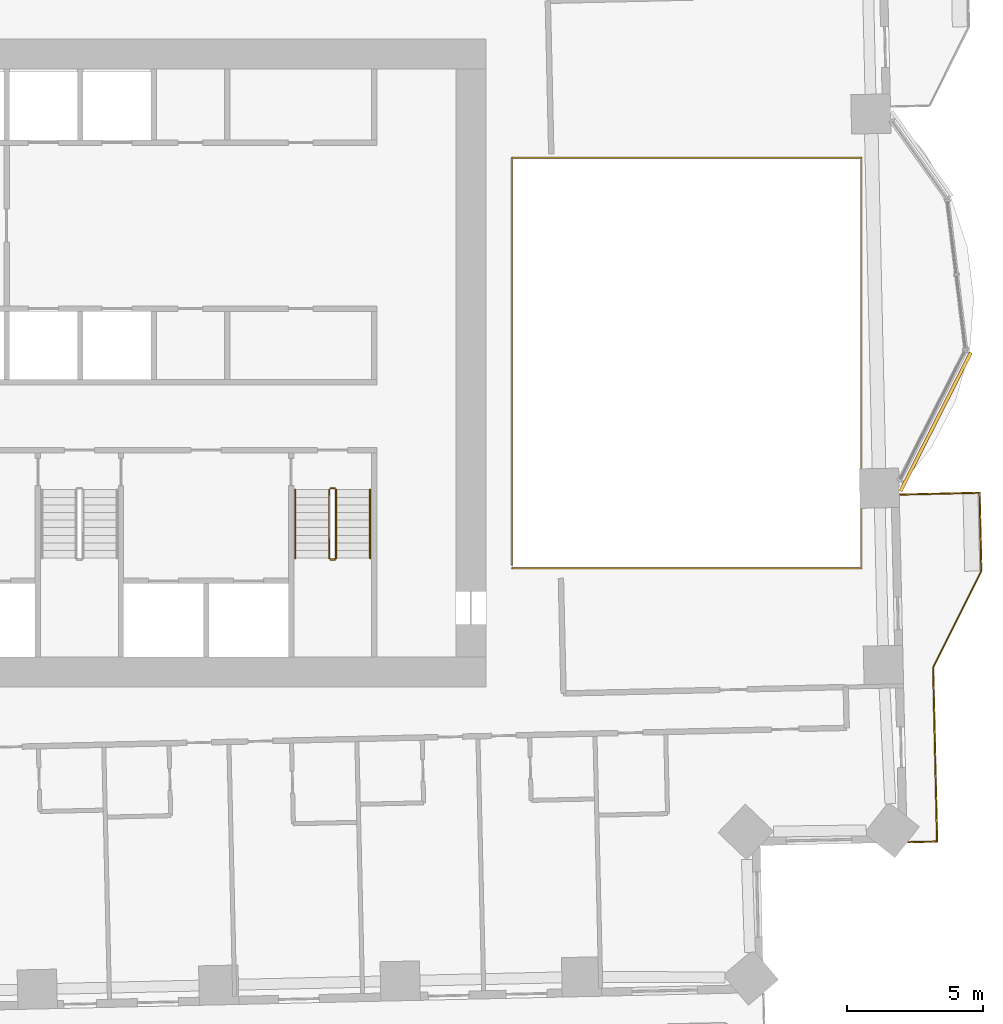
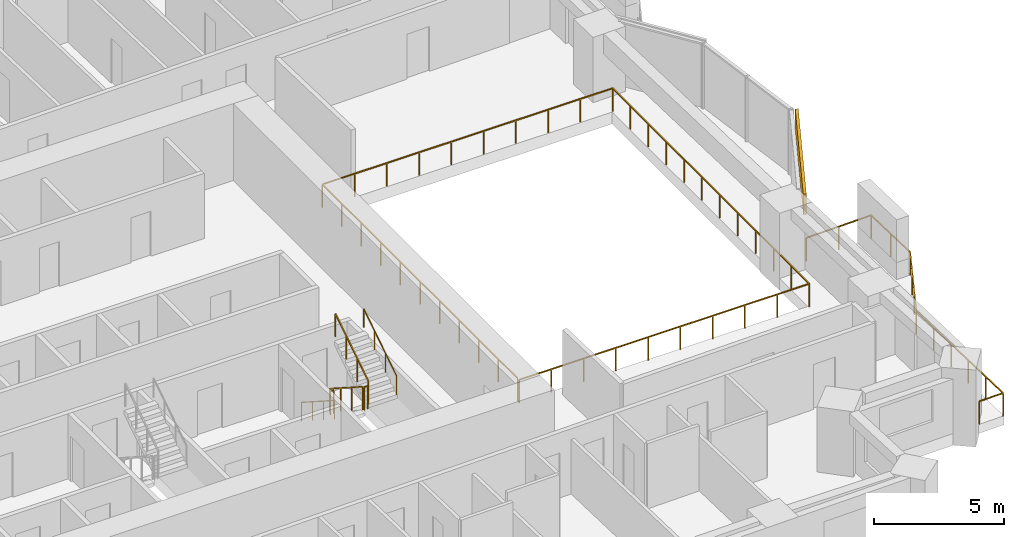
# One storey, part 16 of 17: 8 railings, 1 covering.
"""IFC4 building model written with IfcOpenShell, lengths in metres."""

from ifc_helpers import new_model, si_unit, direction, frame, frame_2d, origin, origin_2d, place, context, subcontext, project, spatial, rectangle, circle, extrude, material, layer, layer_set, type_object, element, save


model = new_model("IFC4")

# Units and contexts
model_context = context("Model", 3, precision=1e-05, world=origin(), true_north=direction((0.0, 1.0)))
body_context = subcontext(model_context, "Body", "Model", "MODEL_VIEW")
ifc_project = project(units=[si_unit("LENGTHUNIT", "METRE"), si_unit("AREAUNIT", "SQUARE_METRE"), si_unit("VOLUMEUNIT", "CUBIC_METRE"), si_unit("PLANEANGLEUNIT", "RADIAN"), si_unit("MASSUNIT", "GRAM", prefix="KILO")], contexts=[model_context])

# Site, building, storey
site_placement = place(None, origin())
site = spatial("IfcSite", under=ifc_project, at=site_placement, CompositionType="ELEMENT")
building_placement = place(site_placement, origin())
building = spatial("IfcBuilding", under=site, at=building_placement, Name="Mangrove Gate Tower", CompositionType="ELEMENT")
storey_placement = place(building_placement, frame((0.0, 0.0, 82.89990234375)))
storey = spatial("IfcBuildingStorey", under=building, at=storey_placement, Name="L20", CompositionType="ELEMENT", Elevation=82.89990234375)

# Railings
ifc_material_1 = material(Name="Stainless steel grade 316 with laminated glass infill", Category="steel")
railing_type_1 = type_object("IfcRailingType", Name="Balcony guard 1100", PredefinedType="GUARDRAIL", material=ifc_material_1)
railing_1_placement = place(storey_placement, frame((30.419921875, -17.60107421875, 0.0)))
element("IfcRailing", 1, at=railing_1_placement, inside=storey, type_object=railing_type_1, Name="GUARD L20 E1", PredefinedType="GUARDRAIL", context=body_context, shape_type="SweptSolid", body=[
    extrude(rectangle(XDim=0.048095703125, YDim=0.048095703125, at=origin_2d()), frame((0.0, 0.0, 1.076171875), z_axis=(0.999740168701, 0.022794628443, 0.0), x_axis=(-0.022794628443, 0.999740168701, 0.0)), (0.0, 0.0, 1.0), 1.060302734375),
    extrude(rectangle(XDim=0.048095703125, YDim=0.048095703125, at=origin_2d()), frame((1.06005859375, 0.024169921875, 1.076171875), z_axis=(-0.022660744415, 0.999743212361, 0.0), x_axis=(-0.999743212361, -0.022660744415, 0.0)), (0.0, 0.0, 1.0), 6.399658203125),
    extrude(rectangle(XDim=0.048095703125, YDim=0.048095703125, at=origin_2d()), frame((0.9150390625, 6.422119140625, 1.076171875), z_axis=(0.447114919141, 0.894476522376, 0.0), x_axis=(-0.894476522376, 0.447114919141, 0.0)), (0.0, 0.0, 1.0), 3.958740234375),
    extrude(rectangle(XDim=0.048095703125, YDim=0.048095703125, at=origin_2d()), frame((2.68505859375, 9.963134765625, 1.076171875), z_axis=(-0.022590224177, 0.999744808324, 0.0), x_axis=(-0.999744808324, -0.022590224177, 0.0)), (0.0, 0.0, 1.0), 2.874755859375),
    extrude(rectangle(XDim=0.048095703125, YDim=0.048095703125, at=origin_2d()), frame((2.6201171875, 12.837158203125, 1.076171875), z_axis=(-0.999741662318, -0.022729026048, 0.0), x_axis=(0.022729026048, -0.999741662318, 0.0)), (0.0, 0.0, 1.0), 2.910888671875),
    extrude(rectangle(XDim=0.0419921875, YDim=0.0419921875, at=origin_2d()), origin(), (0.0, 0.0, 1.0), 1.052001953125),
    extrude(rectangle(XDim=0.0419921875, YDim=0.0419921875, at=origin_2d()), frame((1.06005859375, 0.024169921875, 0.0)), (0.0, 0.0, 1.0), 1.052001953125),
    extrude(rectangle(XDim=0.0419921875, YDim=0.0419921875, at=origin_2d()), frame((1.031005859375, 1.3037109375, 0.0)), (0.0, 0.0, 1.0), 1.052001953125),
    extrude(rectangle(XDim=0.0419921875, YDim=0.0419921875, at=origin_2d()), frame((1.001953125, 2.583251953125, 0.0)), (0.0, 0.0, 1.0), 1.052001953125),
    extrude(rectangle(XDim=0.0419921875, YDim=0.0419921875, at=origin_2d()), frame((0.97314453125, 3.863037109375, 0.0)), (0.0, 0.0, 1.0), 1.052001953125),
    extrude(rectangle(XDim=0.0419921875, YDim=0.0419921875, at=origin_2d()), frame((0.944091796875, 5.142578125, 0.0)), (0.0, 0.0, 1.0), 1.052001953125),
    extrude(rectangle(XDim=0.0419921875, YDim=0.0419921875, at=origin_2d()), frame((0.9150390625, 6.422119140625, 0.0)), (0.0, 0.0, 1.0), 1.052001953125),
    extrude(rectangle(XDim=0.0419921875, YDim=0.0419921875, at=origin_2d()), frame((1.505126953125, 7.6025390625, 0.0)), (0.0, 0.0, 1.0), 1.052001953125),
    extrude(rectangle(XDim=0.0419921875, YDim=0.0419921875, at=origin_2d()), frame((2.094970703125, 8.78271484375, 0.0)), (0.0, 0.0, 1.0), 1.052001953125),
    extrude(rectangle(XDim=0.0419921875, YDim=0.0419921875, at=origin_2d()), frame((2.68505859375, 9.963134765625, 0.0)), (0.0, 0.0, 1.0), 1.052001953125),
    extrude(rectangle(XDim=0.0419921875, YDim=0.0419921875, at=origin_2d()), frame((2.652587890625, 11.400146484375, 0.0)), (0.0, 0.0, 1.0), 1.052001953125),
    extrude(rectangle(XDim=0.0419921875, YDim=0.0419921875, at=origin_2d()), frame((2.6201171875, 12.837158203125, 0.0)), (0.0, 0.0, 1.0), 1.052001953125),
    extrude(rectangle(XDim=0.0419921875, YDim=0.0419921875, at=origin_2d()), frame((1.1650390625, 12.80419921875, 0.0)), (0.0, 0.0, 1.0), 1.052001953125),
    extrude(rectangle(XDim=0.0419921875, YDim=0.0419921875, at=origin_2d()), frame((-0.2900390625, 12.77099609375, 0.0)), (0.0, 0.0, 1.0), 1.052001953125),
])
railing_2_placement = place(storey_placement, frame((15.860107421875, -7.5400390625, 0.0)))
element("IfcRailing", 2, at=railing_2_placement, inside=storey, type_object=railing_type_1, Name="GUARD L20 atrium", PredefinedType="GUARDRAIL", context=body_context, shape_type="SweptSolid", body=[
    extrude(rectangle(XDim=0.048095703125, YDim=0.048095703125, at=origin_2d()), frame((0.0, 0.0, 1.076171875), z_axis=(1.0, 0.0, 0.0), x_axis=(0.0, 1.0, 0.0)), (0.0, 0.0, 1.0), 12.8388671875),
    extrude(rectangle(XDim=0.048095703125, YDim=0.048095703125, at=origin_2d()), frame((12.8388671875, 0.0, 1.076171875), z_axis=(0.0, 1.0, 0.0), x_axis=(-1.0, 0.0, 0.0)), (0.0, 0.0, 1.0), 15.080078125),
    extrude(rectangle(XDim=0.048095703125, YDim=0.048095703125, at=origin_2d()), frame((12.8388671875, 15.080078125, 1.076171875), z_axis=(-1.0, 0.0, 0.0), x_axis=(0.0, -1.0, 0.0)), (0.0, 0.0, 1.0), 12.8388671875),
    extrude(rectangle(XDim=0.048095703125, YDim=0.048095703125, at=origin_2d()), frame((0.0, 15.080078125, 1.076171875), z_axis=(0.0, -1.0, 0.0), x_axis=(1.0, 0.0, 0.0)), (0.0, 0.0, 1.0), 14.9599609375),
    extrude(rectangle(XDim=0.0419921875, YDim=0.0419921875, at=origin_2d()), origin(), (0.0, 0.0, 1.0), 1.052001953125),
    extrude(rectangle(XDim=0.0419921875, YDim=0.0419921875, at=origin_2d()), frame((1.426513671875, 0.0, 0.0)), (0.0, 0.0, 1.0), 1.052001953125),
    extrude(rectangle(XDim=0.0419921875, YDim=0.0419921875, at=origin_2d()), frame((2.85302734375, 0.0, 0.0)), (0.0, 0.0, 1.0), 1.052001953125),
    extrude(rectangle(XDim=0.0419921875, YDim=0.0419921875, at=origin_2d()), frame((4.279541015625, 0.0, 0.0)), (0.0, 0.0, 1.0), 1.052001953125),
    extrude(rectangle(XDim=0.0419921875, YDim=0.0419921875, at=origin_2d()), frame((5.7060546875, 0.0, 0.0)), (0.0, 0.0, 1.0), 1.052001953125),
    extrude(rectangle(XDim=0.0419921875, YDim=0.0419921875, at=origin_2d()), frame((7.1328125, 0.0, 0.0)), (0.0, 0.0, 1.0), 1.052001953125),
    extrude(rectangle(XDim=0.0419921875, YDim=0.0419921875, at=origin_2d()), frame((8.559326171875, 0.0, 0.0)), (0.0, 0.0, 1.0), 1.052001953125),
    extrude(rectangle(XDim=0.0419921875, YDim=0.0419921875, at=origin_2d()), frame((9.98583984375, 0.0, 0.0)), (0.0, 0.0, 1.0), 1.052001953125),
    extrude(rectangle(XDim=0.0419921875, YDim=0.0419921875, at=origin_2d()), frame((11.412353515625, 0.0, 0.0)), (0.0, 0.0, 1.0), 1.052001953125),
    extrude(rectangle(XDim=0.0419921875, YDim=0.0419921875, at=origin_2d()), frame((12.8388671875, 0.0, 0.0)), (0.0, 0.0, 1.0), 1.052001953125),
    extrude(rectangle(XDim=0.0419921875, YDim=0.0419921875, at=origin_2d()), frame((12.8388671875, 1.370849609375, 0.0)), (0.0, 0.0, 1.0), 1.052001953125),
    extrude(rectangle(XDim=0.0419921875, YDim=0.0419921875, at=origin_2d()), frame((12.8388671875, 2.741943359375, 0.0)), (0.0, 0.0, 1.0), 1.052001953125),
    extrude(rectangle(XDim=0.0419921875, YDim=0.0419921875, at=origin_2d()), frame((12.8388671875, 4.11279296875, 0.0)), (0.0, 0.0, 1.0), 1.052001953125),
    extrude(rectangle(XDim=0.0419921875, YDim=0.0419921875, at=origin_2d()), frame((12.8388671875, 5.483642578125, 0.0)), (0.0, 0.0, 1.0), 1.052001953125),
    extrude(rectangle(XDim=0.0419921875, YDim=0.0419921875, at=origin_2d()), frame((12.8388671875, 6.8544921875, 0.0)), (0.0, 0.0, 1.0), 1.052001953125),
    extrude(rectangle(XDim=0.0419921875, YDim=0.0419921875, at=origin_2d()), frame((12.8388671875, 8.2255859375, 0.0)), (0.0, 0.0, 1.0), 1.052001953125),
    extrude(rectangle(XDim=0.0419921875, YDim=0.0419921875, at=origin_2d()), frame((12.8388671875, 9.596435546875, 0.0)), (0.0, 0.0, 1.0), 1.052001953125),
    extrude(rectangle(XDim=0.0419921875, YDim=0.0419921875, at=origin_2d()), frame((12.8388671875, 10.96728515625, 0.0)), (0.0, 0.0, 1.0), 1.052001953125),
    extrude(rectangle(XDim=0.0419921875, YDim=0.0419921875, at=origin_2d()), frame((12.8388671875, 12.338134765625, 0.0)), (0.0, 0.0, 1.0), 1.052001953125),
    extrude(rectangle(XDim=0.0419921875, YDim=0.0419921875, at=origin_2d()), frame((12.8388671875, 13.709228515625, 0.0)), (0.0, 0.0, 1.0), 1.052001953125),
    extrude(rectangle(XDim=0.0419921875, YDim=0.0419921875, at=origin_2d()), frame((12.8388671875, 15.080078125, 0.0)), (0.0, 0.0, 1.0), 1.052001953125),
    extrude(rectangle(XDim=0.0419921875, YDim=0.0419921875, at=origin_2d()), frame((11.412353515625, 15.080078125, 0.0)), (0.0, 0.0, 1.0), 1.052001953125),
    extrude(rectangle(XDim=0.0419921875, YDim=0.0419921875, at=origin_2d()), frame((9.98583984375, 15.080078125, 0.0)), (0.0, 0.0, 1.0), 1.052001953125),
    extrude(rectangle(XDim=0.0419921875, YDim=0.0419921875, at=origin_2d()), frame((8.559326171875, 15.080078125, 0.0)), (0.0, 0.0, 1.0), 1.052001953125),
    extrude(rectangle(XDim=0.0419921875, YDim=0.0419921875, at=origin_2d()), frame((7.1328125, 15.080078125, 0.0)), (0.0, 0.0, 1.0), 1.052001953125),
    extrude(rectangle(XDim=0.0419921875, YDim=0.0419921875, at=origin_2d()), frame((5.7060546875, 15.080078125, 0.0)), (0.0, 0.0, 1.0), 1.052001953125),
    extrude(rectangle(XDim=0.0419921875, YDim=0.0419921875, at=origin_2d()), frame((4.279541015625, 15.080078125, 0.0)), (0.0, 0.0, 1.0), 1.052001953125),
    extrude(rectangle(XDim=0.0419921875, YDim=0.0419921875, at=origin_2d()), frame((2.85302734375, 15.080078125, 0.0)), (0.0, 0.0, 1.0), 1.052001953125),
    extrude(rectangle(XDim=0.0419921875, YDim=0.0419921875, at=origin_2d()), frame((1.426513671875, 15.080078125, 0.0)), (0.0, 0.0, 1.0), 1.052001953125),
    extrude(rectangle(XDim=0.0419921875, YDim=0.0419921875, at=origin_2d()), frame((0.0, 15.080078125, 0.0)), (0.0, 0.0, 1.0), 1.052001953125),
    extrude(rectangle(XDim=0.0419921875, YDim=0.0419921875, at=origin_2d()), frame((0.0, 13.583984375, 0.0)), (0.0, 0.0, 1.0), 1.052001953125),
    extrude(rectangle(XDim=0.0419921875, YDim=0.0419921875, at=origin_2d()), frame((0.0, 12.088134765625, 0.0)), (0.0, 0.0, 1.0), 1.052001953125),
    extrude(rectangle(XDim=0.0419921875, YDim=0.0419921875, at=origin_2d()), frame((0.0, 10.592041015625, 0.0)), (0.0, 0.0, 1.0), 1.052001953125),
    extrude(rectangle(XDim=0.0419921875, YDim=0.0419921875, at=origin_2d()), frame((0.0, 9.09619140625, 0.0)), (0.0, 0.0, 1.0), 1.052001953125),
    extrude(rectangle(XDim=0.0419921875, YDim=0.0419921875, at=origin_2d()), frame((0.0, 7.60009765625, 0.0)), (0.0, 0.0, 1.0), 1.052001953125),
    extrude(rectangle(XDim=0.0419921875, YDim=0.0419921875, at=origin_2d()), frame((0.0, 6.10400390625, 0.0)), (0.0, 0.0, 1.0), 1.052001953125),
    extrude(rectangle(XDim=0.0419921875, YDim=0.0419921875, at=origin_2d()), frame((0.0, 4.608154296875, 0.0)), (0.0, 0.0, 1.0), 1.052001953125),
    extrude(rectangle(XDim=0.0419921875, YDim=0.0419921875, at=origin_2d()), frame((0.0, 3.112060546875, 0.0)), (0.0, 0.0, 1.0), 1.052001953125),
    extrude(rectangle(XDim=0.0419921875, YDim=0.0419921875, at=origin_2d()), frame((0.0, 1.6162109375, 0.0)), (0.0, 0.0, 1.0), 1.052001953125),
    extrude(rectangle(XDim=0.0419921875, YDim=0.0419921875, at=origin_2d()), frame((0.0, 0.1201171875, 0.0)), (0.0, 0.0, 1.0), 1.052001953125),
])
ifc_material_2 = material(Name="Stainless steel 316", Category="steel")
railing_type_2 = type_object("IfcRailingType", Name="Core stair guard 1100", PredefinedType="GUARDRAIL", material=ifc_material_2)
railing_3_placement = place(storey_placement, frame((9.14990234375, -4.64990234375, 0.18017578125)))
element("IfcRailing", 3, at=railing_3_placement, inside=storey, type_object=railing_type_2, Name="L20 ST3 stair guard 1", PredefinedType="GUARDRAIL", context=body_context, shape_type="SweptSolid", body=[
    extrude(rectangle(XDim=0.048095703125, YDim=0.048095703125, at=origin_2d()), frame((0.0, 0.0, 1.076171875), z_axis=(0.0, -0.841199657755, 0.540724639528), x_axis=(1.0, 0.0, 0.0)), (0.0, 0.0, 1.0), 2.995849609375),
    extrude(rectangle(XDim=0.0419921875, YDim=0.0419921875, at=origin_2d()), origin(), (0.0, 0.0, 1.0), 1.052001953125),
    extrude(rectangle(XDim=0.0419921875, YDim=0.0419921875, at=origin_2d()), frame((0.0, -0.840087890625, 0.5400390625)), (0.0, 0.0, 1.0), 1.052001953125),
    extrude(rectangle(XDim=0.0419921875, YDim=0.0419921875, at=origin_2d()), frame((0.0, -1.679931640625, 1.079833984375)), (0.0, 0.0, 1.0), 1.052001953125),
    extrude(rectangle(XDim=0.0419921875, YDim=0.0419921875, at=origin_2d()), frame((0.0, -2.52001953125, 1.619873046875)), (0.0, 0.0, 1.0), 1.052001953125),
])
railing_4_placement = place(storey_placement, frame((9.199951171875, -7.219970703125, 1.800048828125)))
element("IfcRailing", 4, at=railing_4_placement, inside=storey, type_object=railing_type_2, Name="L20 ST3 stair guard 2", PredefinedType="GUARDRAIL", context=body_context, shape_type="SweptSolid", body=[
    extrude(rectangle(XDim=0.048095703125, YDim=0.048095703125, at=origin_2d()), frame((0.0, 0.0, 1.076171875), z_axis=(1.0, 0.0, 0.0), x_axis=(0.0, 1.0, 0.0)), (0.0, 0.0, 1.0), 0.150146484375),
    extrude(rectangle(XDim=0.0419921875, YDim=0.0419921875, at=origin_2d()), origin(), (0.0, 0.0, 1.0), 1.052001953125),
    extrude(rectangle(XDim=0.0419921875, YDim=0.0419921875, at=origin_2d()), frame((0.150146484375, 0.0, 0.0)), (0.0, 0.0, 1.0), 1.052001953125),
])
railing_5_placement = place(storey_placement, frame((9.39990234375, -7.169921875, 1.97998046875)))
element("IfcRailing", 5, at=railing_5_placement, inside=storey, type_object=railing_type_2, Name="L20 ST3 stair guard 3", PredefinedType="GUARDRAIL", context=body_context, shape_type="SweptSolid", body=[
    extrude(rectangle(XDim=0.048095703125, YDim=0.048095703125, at=origin_2d()), frame((0.0, 0.0, 1.076171875), z_axis=(0.0, 0.841162588446, 0.540782303519), x_axis=(-1.0, 0.0, 0.0)), (0.0, 0.0, 1.0), 2.995849609375),
    extrude(rectangle(XDim=0.0419921875, YDim=0.0419921875, at=origin_2d()), origin(), (0.0, 0.0, 1.0), 1.052001953125),
    extrude(rectangle(XDim=0.0419921875, YDim=0.0419921875, at=origin_2d()), frame((0.0, 0.840087890625, 0.5400390625)), (0.0, 0.0, 1.0), 1.052001953125),
    extrude(rectangle(XDim=0.0419921875, YDim=0.0419921875, at=origin_2d()), frame((0.0, 1.679931640625, 1.080078125)), (0.0, 0.0, 1.0), 1.052001953125),
    extrude(rectangle(XDim=0.0419921875, YDim=0.0419921875, at=origin_2d()), frame((0.0, 2.52001953125, 1.6201171875)), (0.0, 0.0, 1.0), 1.052001953125),
])
railing_6_placement = place(storey_placement, frame((9.199951171875, -4.60009765625, 0.0)))
element("IfcRailing", 6, at=railing_6_placement, inside=storey, type_object=railing_type_2, Name="L20 ST3 stair guard 4", PredefinedType="GUARDRAIL", context=body_context, shape_type="SweptSolid", body=[
    extrude(rectangle(XDim=0.048095703125, YDim=0.048095703125, at=origin_2d()), frame((0.0, 0.0, 1.076171875), z_axis=(1.0, 0.0, 0.0), x_axis=(0.0, 1.0, 0.0)), (0.0, 0.0, 1.0), 0.150146484375),
    extrude(rectangle(XDim=0.0419921875, YDim=0.0419921875, at=origin_2d()), origin(), (0.0, 0.0, 1.0), 1.052001953125),
    extrude(rectangle(XDim=0.0419921875, YDim=0.0419921875, at=origin_2d()), frame((0.150146484375, 0.0, 0.0)), (0.0, 0.0, 1.0), 1.052001953125),
])
ifc_material_3 = material(Name="Stainless steel 316", Category="steel")
railing_type_3 = type_object("IfcRailingType", Name="Core stair handrail 900", PredefinedType="HANDRAIL", material=ifc_material_3)
railing_7_placement = place(storey_placement, frame((7.89990234375, -4.64990234375, 0.18017578125)))
element("IfcRailing", 7, at=railing_7_placement, inside=storey, type_object=railing_type_3, Name="L20 ST3 stair handrail 1", PredefinedType="HANDRAIL", context=body_context, shape_type="SweptSolid", body=[
    extrude(circle(Radius=0.02392578125, at=origin_2d()), frame((0.0, 0.0, 0.8759765625), z_axis=(0.0, -0.841199657755, 0.540724639528), x_axis=(1.0, 0.0, 0.0)), (0.0, 0.0, 1.0), 2.995849609375),
    extrude(circle(Radius=0.02099609375, at=origin_2d()), origin(), (0.0, 0.0, 1.0), 0.851806640625),
    extrude(circle(Radius=0.02099609375, at=origin_2d()), frame((0.0, -0.840087890625, 0.5400390625)), (0.0, 0.0, 1.0), 0.851806640625),
    extrude(circle(Radius=0.02099609375, at=origin_2d()), frame((0.0, -1.679931640625, 1.079833984375)), (0.0, 0.0, 1.0), 0.851806640625),
    extrude(circle(Radius=0.02099609375, at=origin_2d()), frame((0.0, -2.52001953125, 1.619873046875)), (0.0, 0.0, 1.0), 0.851806640625),
])
railing_8_placement = place(storey_placement, frame((10.64990234375, -7.169921875, 1.97998046875)))
element("IfcRailing", 8, at=railing_8_placement, inside=storey, type_object=railing_type_3, Name="L20 ST3 stair handrail 2", PredefinedType="HANDRAIL", context=body_context, shape_type="SweptSolid", body=[
    extrude(circle(Radius=0.02392578125, at=origin_2d()), frame((0.0, 0.0, 0.8759765625), z_axis=(0.0, 0.841162588446, 0.540782303519), x_axis=(-1.0, 0.0, 0.0)), (0.0, 0.0, 1.0), 2.995849609375),
    extrude(circle(Radius=0.02099609375, at=origin_2d()), origin(), (0.0, 0.0, 1.0), 0.851806640625),
    extrude(circle(Radius=0.02099609375, at=origin_2d()), frame((0.0, 0.840087890625, 0.5400390625)), (0.0, 0.0, 1.0), 0.851806640625),
    extrude(circle(Radius=0.02099609375, at=origin_2d()), frame((0.0, 1.679931640625, 1.080078125)), (0.0, 0.0, 1.0), 0.851806640625),
    extrude(circle(Radius=0.02099609375, at=origin_2d()), frame((0.0, 2.52001953125, 1.6201171875)), (0.0, 0.0, 1.0), 0.851806640625),
])

# Covering
ifc_material_4 = material(Name="Limestone", Category="masonry")
ifc_layer_1 = layer(ifc_material_4, 0.0400390625, Name="Limestone cladding")
ifc_material_5 = material(Name="Stainless steel anchors and cavity", Category="steel")
ifc_layer_2 = layer(ifc_material_5, 0.080078125, Name="Fixing cavity")
ifc_layer_set = layer_set([ifc_layer_1, ifc_layer_2], Name="Joint fascia cladding 120")
covering_type = type_object("IfcCoveringType", Name="Joint fascia cladding 120", PredefinedType="CLADDING", material=ifc_layer_set)
covering_placement = place(storey_placement, frame((30.13720703125, -4.705322265625, 2.10009765625), z_axis=(0.0, 0.0, 1.0), x_axis=(0.452477241859, 0.891775950337, 0.0)))
element("IfcCovering", 9, at=covering_placement, inside=storey, type_object=covering_type, Name="STONE FASCIA L20 E1.L1", PredefinedType="CLADDING", context=body_context, shape_type="SweptSolid", body=[
    extrude(rectangle(XDim=5.705810546875, YDim=0.1201171875, at=frame_2d((2.85302734375, 0.0))), origin(), (0.0, 0.0, 1.0), 0.949951171875),
])

save(model, "model.ifc")
